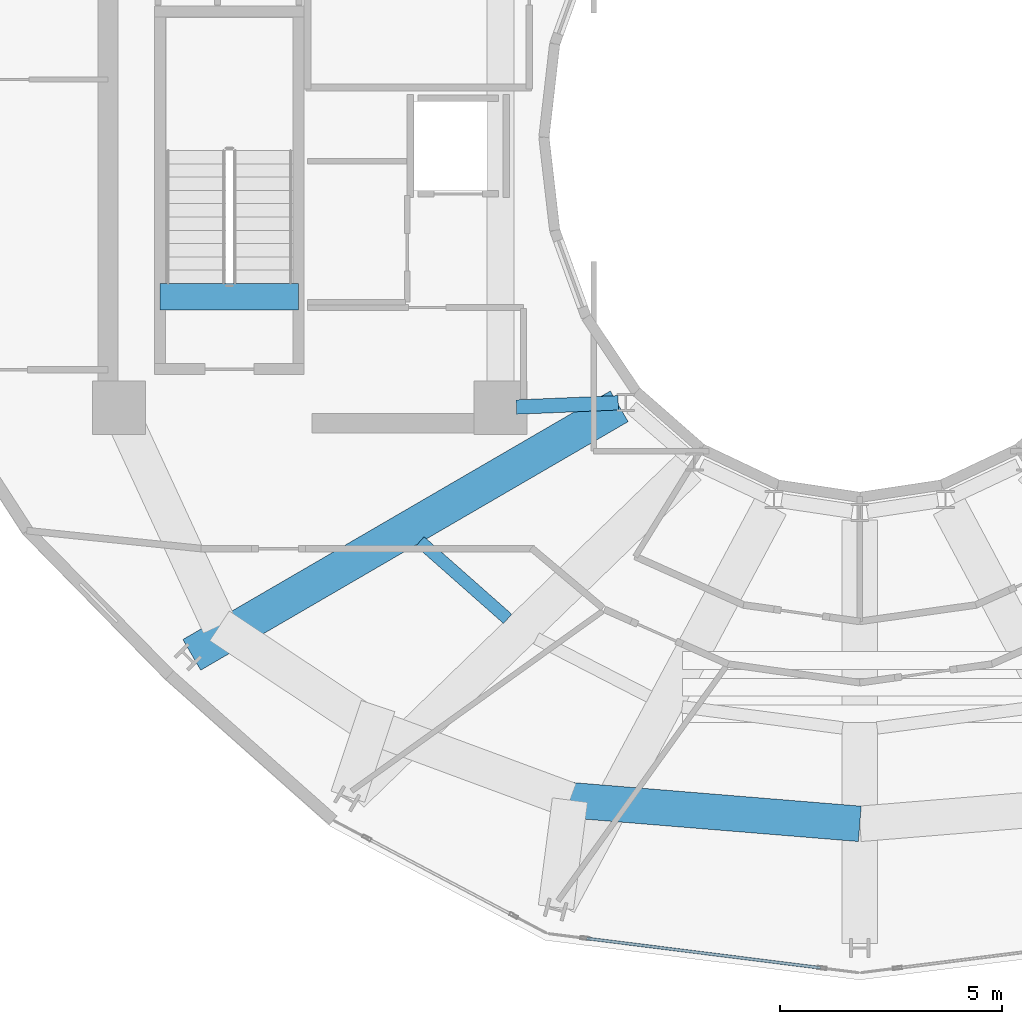
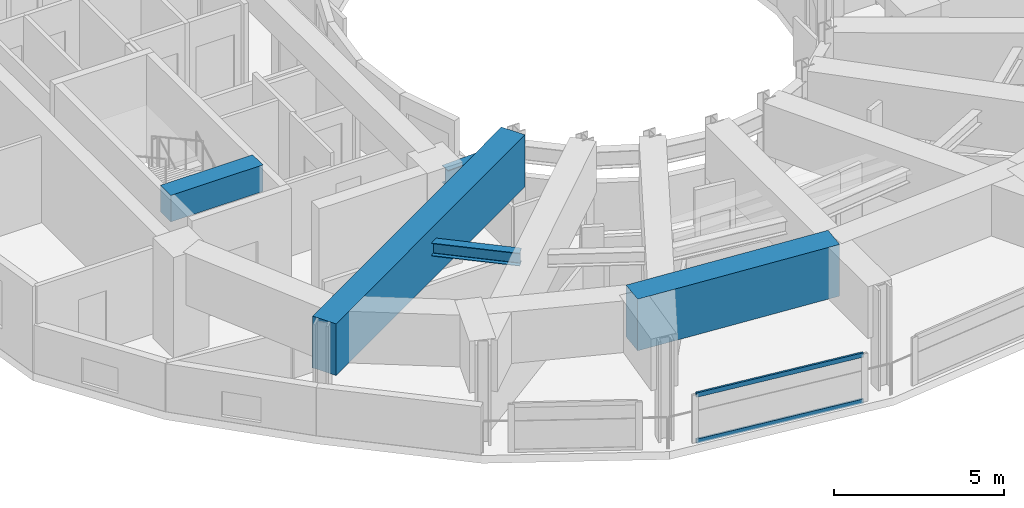
# One storey, part 3 of 21: 5 beams, 2 members, 1 element without a shape of its own.
"""IFC4 building model written with IfcOpenShell, lengths in metres."""

from ifc_helpers import new_model, si_unit, direction, frame, origin, origin_2d, place, context, subcontext, project, spatial, rectangle, hollow_rectangle, i_section, extrude, material, layer, layer_set, material_profile, profile_set, type_object, element, aggregate, save


model = new_model("IFC4")

# Units and contexts
model_context = context("Model", 3, precision=1e-05, world=origin(), true_north=direction((0.0, 1.0)))
body_context = subcontext(model_context, "Body", "Model", "MODEL_VIEW")
ifc_project = project(units=[si_unit("LENGTHUNIT", "METRE"), si_unit("AREAUNIT", "SQUARE_METRE"), si_unit("VOLUMEUNIT", "CUBIC_METRE"), si_unit("PLANEANGLEUNIT", "RADIAN"), si_unit("MASSUNIT", "GRAM", prefix="KILO")], contexts=[model_context])

# Site, building, storey
site_placement = place(None, origin())
site = spatial("IfcSite", under=ifc_project, at=site_placement, CompositionType="ELEMENT")
building_placement = place(site_placement, origin())
building = spatial("IfcBuilding", under=site, at=building_placement, Name="Solvane Sanctuary Tower", CompositionType="ELEMENT")
storey_placement = place(building_placement, frame((0.0, 0.0, 256.800048828125)))
storey = spatial("IfcBuildingStorey", under=building, at=storey_placement, Name="L78", CompositionType="ELEMENT", Elevation=256.800048828125)

# Beams
ifc_material_1 = material(Name="Concrete C70/85", Category="concrete")
ifc_material_profile_1 = material_profile(ifc_material_1, rectangle(XDim=0.60009765625, YDim=0.949951171875, at=origin_2d()), Name="RC600X950")
ifc_profile_set_1 = profile_set([ifc_material_profile_1], Name="Concrete C70/85")
beam_type_1 = type_object("IfcBeamType", Name="Beam B-COUPLE RC600X950", PredefinedType="LINTEL", material=ifc_profile_set_1)
beam_1_placement = place(storey_placement, frame((16.22998046875, 19.399169921875, 3.125), z_axis=(1.0, 0.0, 0.0), x_axis=(0.0, 1.0, 0.0)))
element("IfcBeam", 1, at=beam_1_placement, inside=storey, type_object=beam_type_1, Name="L78 ST-1 Stair Floor Landing Trimmer", PredefinedType="LINTEL", context=body_context, shape_type="SweptSolid", body=[
    extrude(rectangle(XDim=0.60009765625, YDim=0.949951171875, at=origin_2d()), origin(), (0.0, 0.0, 1.0), 3.1201171875),
])
ifc_material_2 = material(Name="Steel ASTM A992 Grade 50", Category="steel")
ifc_material_profile_2 = material_profile(ifc_material_2, i_section(OverallWidth=0.324951171875, OverallDepth=0.615966796875, WebThickness=0.013916015625, FlangeThickness=0.021484375, FilletRadius=0.01611328125, at=origin_2d()), Name="W24X117")
ifc_profile_set_2 = profile_set([ifc_material_profile_2], Name="Steel ASTM A992 Grade 50")
beam_type_2 = type_object("IfcBeamType", Name="Beam B-RING-IN2 W24X117", PredefinedType="BEAM", material=ifc_profile_set_2)
beam_2_placement = place(storey_placement, frame((24.259765625, 16.9150390625, 2.7900390625), z_axis=(0.9991319677, 0.04165706566, 0.0), x_axis=(-0.04165706566, 0.9991319677, 0.0)))
element("IfcBeam", 2, at=beam_2_placement, inside=storey, type_object=beam_type_2, Name="L78 Inner Light-Well Ring Beam CW2-IC08", PredefinedType="BEAM", context=body_context, shape_type="SweptSolid", body=[
    extrude(i_section(OverallWidth=0.324951171875, OverallDepth=0.615966796875, WebThickness=0.013916015625, FlangeThickness=0.021484375, FilletRadius=0.01611328125, at=origin_2d()), origin(), (0.0, 0.0, 1.0), 2.29736328125),
])
ifc_material_profile_3 = material_profile(ifc_material_2, i_section(OverallWidth=0.280029296875, OverallDepth=0.462890625, WebThickness=0.0107421875, FlangeThickness=0.017333984375, FilletRadius=0.013916015625, at=origin_2d()), Name="W18X76")
ifc_profile_set_3 = profile_set([ifc_material_profile_3], Name="Steel ASTM A992 Grade 50")
beam_type_3 = type_object("IfcBeamType", Name="Beam B-SEC-JOIST W18X76", PredefinedType="JOIST", material=ifc_profile_set_3)
beam_3_placement = place(storey_placement, frame((22.086181640625, 13.886962890625, 2.866455078125), z_axis=(0.749337635243, -0.662188121615, 0.0), x_axis=(0.662188121615, 0.749337635243, 0.0)))
element("IfcBeam", 3, at=beam_3_placement, inside=storey, type_object=beam_type_3, Name="L78 Secondary Circumferential Joist 08-09", PredefinedType="JOIST", context=body_context, shape_type="SweptSolid", body=[
    extrude(i_section(OverallWidth=0.280029296875, OverallDepth=0.462890625, WebThickness=0.0107421875, FlangeThickness=0.017333984375, FilletRadius=0.013916015625, at=origin_2d()), origin(), (0.0, 0.0, 1.0), 2.63623046875),
])
ifc_material_profile_4 = material_profile(ifc_material_1, rectangle(XDim=0.800048828125, YDim=1.85009765625, at=origin_2d()), Name="RC800X1850")
ifc_profile_set_4 = profile_set([ifc_material_profile_4], Name="Concrete C70/85")
beam_type_4 = type_object("IfcBeamType", Name="Beam B-XFER-BLK RC800X1850", PredefinedType="BEAM", material=ifc_profile_set_4)
beam_4_placement = place(storey_placement, frame((26.577880859375, 16.932373046875, 2.675048828125), z_axis=(-0.864490587144, -0.502649007498, 0.0), x_axis=(0.502649007498, -0.864490587144, 0.0)))
element("IfcBeam", 4, at=beam_4_placement, inside=storey, type_object=beam_type_4, Name="L78 Block-Shift Radial Transfer Girder 08A", PredefinedType="BEAM", context=body_context, shape_type="SweptSolid", body=[
    extrude(rectangle(XDim=0.800048828125, YDim=1.85009765625, at=origin_2d()), origin(), (0.0, 0.0, 1.0), 11.14697265625),
])
beam_5_placement = place(storey_placement, frame((25.466064453125, 8.0546875, 2.675048828125), z_axis=(0.996668695985, -0.081556792744, 0.0), x_axis=(0.081556792744, 0.996668695985, 0.0)))
element("IfcBeam", 5, at=beam_5_placement, inside=storey, type_object=beam_type_4, Name="L78 Perimeter Step Transfer Ring NTC10-NTC11", PredefinedType="BEAM", context=body_context, shape_type="SweptSolid", body=[
    extrude(rectangle(XDim=0.800048828125, YDim=1.85009765625, at=origin_2d()), origin(), (0.0, 0.0, 1.0), 6.5556640625),
])

# Curtain wall, members
ifc_material_3 = material(Name="Anodised Aluminium 6063-T6", Category="aluminium")
ifc_layer = layer(ifc_material_3, 0.18994140625, Name="Anodised Aluminium 6063-T6")
ifc_layer_set = layer_set([ifc_layer], Name="Anodised Aluminium 6063-T6")
curtain_wall_type = type_object("IfcCurtainWallType", Name="Curtain Wall CW-OPER", PredefinedType="NOTDEFINED", material=ifc_layer_set)
curtain_wall_placement = place(storey_placement, origin())
curtain_wall = element("IfcCurtainWall", 6, at=curtain_wall_placement, inside=storey, type_object=curtain_wall_type, Name="L78 CW-OPER Facade Run 17", PredefinedType="NOTDEFINED")
ifc_material_profile_5 = material_profile(ifc_material_3, hollow_rectangle(XDim=0.06494140625, YDim=0.159912109375, WallThickness=0.00341796875, at=origin_2d()), Name="ALU160X65X3.5")
ifc_profile_set_5 = profile_set([ifc_material_profile_5], Name="Anodised Aluminium 6063-T6")
member_type = type_object("IfcMemberType", Name="Member M-CW-TRN-1 ALU160X65X3.5", PredefinedType="USERDEFINED", material=ifc_profile_set_5)
member_1_placement = place(storey_placement, frame((25.844970703125, 4.9365234375, 0.032470703125), z_axis=(0.992179929781, -0.124815812062, 0.0), x_axis=(0.124815812062, 0.992179929781, 0.0)))
member_1 = element("IfcMember", 7, at=member_1_placement, type_object=member_type, Name="CW-OPER transom 1.1", ObjectType="TRANSOM", PredefinedType="USERDEFINED", context=body_context, shape_type="SweptSolid", body=[
    extrude(hollow_rectangle(XDim=0.06494140625, YDim=0.159912109375, WallThickness=0.00341796875, at=origin_2d()), origin(), (0.0, 0.0, 1.0), 5.30859375),
])
member_2_placement = place(storey_placement, frame((25.844970703125, 4.9365234375, 1.6875), z_axis=(0.992179929781, -0.124815812062, 0.0), x_axis=(0.124815812062, 0.992179929781, 0.0)))
member_2 = element("IfcMember", 8, at=member_2_placement, type_object=member_type, Name="CW-OPER transom 1.2", ObjectType="TRANSOM", PredefinedType="USERDEFINED", context=body_context, shape_type="SweptSolid", body=[
    extrude(hollow_rectangle(XDim=0.06494140625, YDim=0.159912109375, WallThickness=0.00341796875, at=origin_2d()), origin(), (0.0, 0.0, 1.0), 5.30859375),
])
aggregate(curtain_wall, [member_1, member_2])

save(model, "model.ifc")
